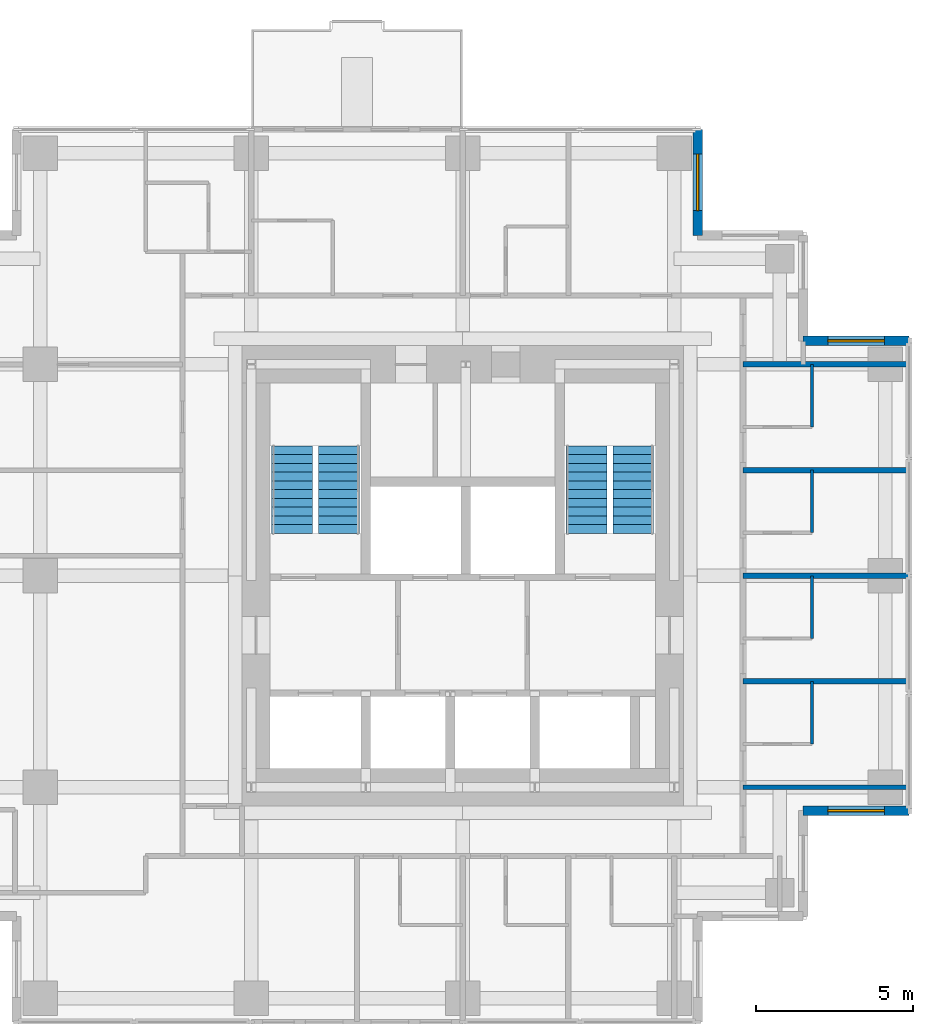
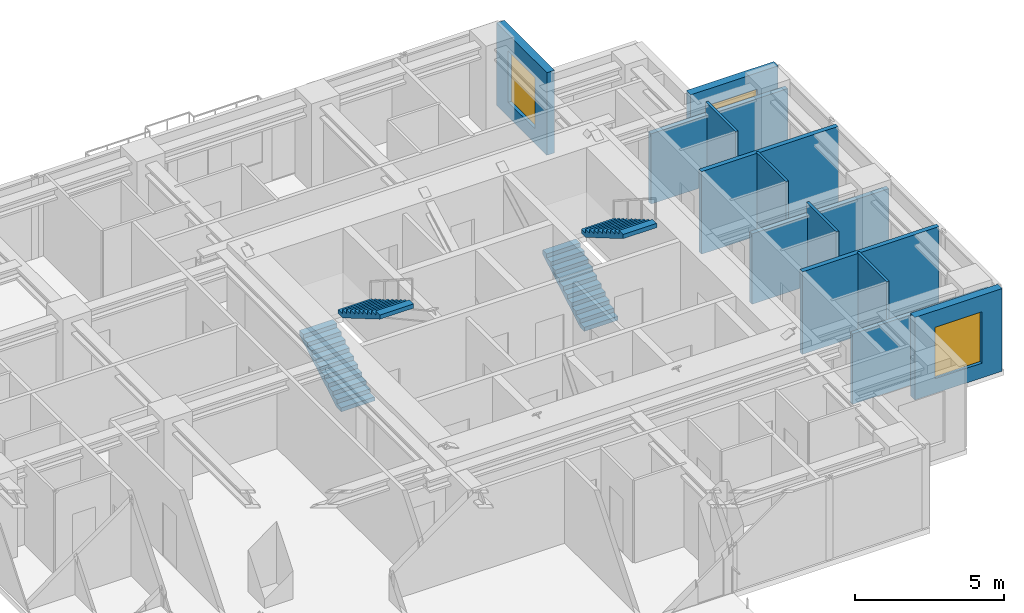
# One storey, part 7 of 8: 12 walls, 4 stair flights, 3 windows, 3 openings, 2 elements without a shape of their own.
"""IFC4 building model written with IfcOpenShell, lengths in metres."""

from ifc_helpers import new_model, si_unit, direction, frame, frame_2d, origin, place, context, subcontext, project, spatial, polyline, rectangle, outline, extrude, material, layer, layer_set, type_object, element, fill, aggregate, save


model = new_model("IFC4")

# Units and contexts
model_context = context("Model", 3, precision=1e-05, world=origin(), true_north=direction((0.0, 1.0)))
body_context = subcontext(model_context, "Body", "Model", "MODEL_VIEW")
ifc_project = project(units=[si_unit("LENGTHUNIT", "METRE"), si_unit("AREAUNIT", "SQUARE_METRE"), si_unit("VOLUMEUNIT", "CUBIC_METRE"), si_unit("PLANEANGLEUNIT", "RADIAN"), si_unit("MASSUNIT", "GRAM", prefix="KILO")], contexts=[model_context])

# Site, building, storey
site_placement = place(None, origin())
site = spatial("IfcSite", under=ifc_project, at=site_placement, CompositionType="ELEMENT")
building_placement = place(site_placement, origin())
building = spatial("IfcBuilding", under=site, at=building_placement, Name="Nyansa Garden Tower", CompositionType="ELEMENT")
storey_placement = place(building_placement, frame((0.0, 0.0, 218.699951171875)))
storey = spatial("IfcBuildingStorey", under=building, at=storey_placement, Name="L59", CompositionType="ELEMENT", Elevation=218.699951171875)

# Walls
ifc_material_1 = material(Name="Dense blockwork, plastered both sides, 55 dB", Category="masonry")
ifc_layer_1 = layer(ifc_material_1, 0.175048828125)
ifc_layer_set_1 = layer_set([ifc_layer_1], Name="Acoustic party wall PW175")
wall_type_1 = type_object("IfcWallType", Name="Acoustic party wall PW175", PredefinedType="PARTITIONING", material=ifc_layer_set_1)
wall_1_placement = place(storey_placement, frame((29.199951171875, 16.875, 0.0), z_axis=(0.0, 0.0, 1.0), x_axis=(1.0, 0.0, 0.0)))
element("IfcWall", 1, at=wall_1_placement, inside=storey, type_object=wall_type_1, Name="Party wall", PredefinedType="PARTITIONING", context=body_context, shape_type="SweptSolid", body=[
    extrude(rectangle(XDim=5.283935546875, YDim=0.175048828125, at=frame_2d((2.64208984375, 0.0))), origin(), (0.0, 0.0, 1.0), 3.375),
])
wall_2_placement = place(storey_placement, frame((29.199951171875, 20.25, 0.0), z_axis=(0.0, 0.0, 1.0), x_axis=(1.0, 0.0, 0.0)))
element("IfcWall", 2, at=wall_2_placement, inside=storey, type_object=wall_type_1, Name="Party wall", PredefinedType="PARTITIONING", context=body_context, shape_type="SweptSolid", body=[
    extrude(rectangle(XDim=5.283935546875, YDim=0.175048828125, at=frame_2d((2.64208984375, 0.0))), origin(), (0.0, 0.0, 1.0), 2.876953125),
])
wall_3_placement = place(storey_placement, frame((29.199951171875, 23.625, 0.0), z_axis=(0.0, 0.0, 1.0), x_axis=(1.0, 0.0, 0.0)))
element("IfcWall", 3, at=wall_3_placement, inside=storey, type_object=wall_type_1, Name="Party wall", PredefinedType="PARTITIONING", context=body_context, shape_type="SweptSolid", body=[
    extrude(rectangle(XDim=5.283935546875, YDim=0.175048828125, at=frame_2d((2.64208984375, 0.0))), origin(), (0.0, 0.0, 1.0), 3.375),
])
wall_4_placement = place(storey_placement, frame((29.199951171875, 27.0, 0.0), z_axis=(0.0, 0.0, 1.0), x_axis=(1.0, 0.0, 0.0)))
element("IfcWall", 4, at=wall_4_placement, inside=storey, type_object=wall_type_1, Name="Party wall", PredefinedType="PARTITIONING", context=body_context, shape_type="SweptSolid", body=[
    extrude(rectangle(XDim=5.283935546875, YDim=0.175048828125, at=frame_2d((2.64208984375, 0.0))), origin(), (0.0, 0.0, 1.0), 2.876953125),
])
ifc_material_2 = material(Name="Blockwork, plastered both sides", Category="masonry")
ifc_layer_2 = layer(ifc_material_2, 0.14990234375)
ifc_layer_set_2 = layer_set([ifc_layer_2], Name="Partition PW150")
wall_type_2 = type_object("IfcWallType", Name="Partition PW150", PredefinedType="PARTITIONING", material=ifc_layer_set_2)
wall_5_placement = place(storey_placement, frame((29.199951171875, 13.5, 0.0), z_axis=(0.0, 0.0, 1.0), x_axis=(1.0, 0.0, 0.0)))
element("IfcWall", 5, at=wall_5_placement, inside=storey, type_object=wall_type_2, Name="Partition", PredefinedType="PARTITIONING", context=body_context, shape_type="SweptSolid", body=[
    extrude(rectangle(XDim=5.283935546875, YDim=0.14990234375, at=frame_2d((2.64208984375, 0.0))), origin(), (0.0, 0.0, 1.0), 2.876953125),
])

# Wall, opening, window
ifc_material_3 = material(Name="Turquoise glazed tile on concrete blockwork", Category="masonry")
ifc_layer_3 = layer(ifc_material_3, 0.300048828125)
ifc_layer_set_3 = layer_set([ifc_layer_3], Name="Tiled corner wall TW300")
wall_type_3 = type_object("IfcWallType", Name="Tiled corner wall TW300", PredefinedType="SOLIDWALL", material=ifc_layer_set_3)
wall_6_placement = place(storey_placement, frame((34.5, 27.75, 0.0), z_axis=(0.0, 0.0, 1.0), x_axis=(-1.0, 0.0, 0.0)))
wall_6 = element("IfcWall", 6, at=wall_6_placement, inside=storey, type_object=wall_type_3, Name="Tiled corner wall L59", PredefinedType="SOLIDWALL", context=body_context, shape_type="SweptSolid", body=[
    extrude(rectangle(XDim=3.375, YDim=0.300048828125, at=frame_2d((1.6875, 0.0))), origin(), (0.0, 0.0, 1.0), 3.375),
])
opening_1_placement = place(wall_6_placement, frame((0.78759765625, 0.0, 0.60009765625)))
opening_1 = element("IfcOpeningElement", 7, at=opening_1_placement, cuts=wall_6, Name="Opening W2", PredefinedType="OPENING", context=body_context, shape_type="SweptSolid", body=[
    extrude(rectangle(XDim=1.800048828125, YDim=2.10009765625, at=frame_2d((0.89990234375, 1.050048828125))), frame((0.0, 0.159912109375, 0.0), z_axis=(0.0, -1.0, 0.0), x_axis=(1.0, 0.0, 0.0)), (0.0, 0.0, 1.0), 0.320068359375),
])
ifc_material_4 = material(Name="Black aluminium frame, dark tinted double glazing", Category="aluminium")
window_type = type_object("IfcWindowType", Name="Window W2 1800x2100", PartitioningType="SINGLE_PANEL", PredefinedType="WINDOW", material=ifc_material_4)
window_1_placement = place(opening_1_placement, origin())
window_1 = element("IfcWindow", 8, at=window_1_placement, inside=storey, type_object=window_type, Name="Corner window L59", OverallHeight=2.10009765625, OverallWidth=1.800048828125, PartitioningType="SINGLE_PANEL", PredefinedType="WINDOW", context=body_context, shape_type="SweptSolid", body=[
    extrude(rectangle(XDim=1.800048828125, YDim=2.10009765625, at=frame_2d((0.89990234375, 1.050048828125))), frame((0.0, 0.030029296875, 0.0), z_axis=(0.0, -1.0, 0.0), x_axis=(1.0, 0.0, 0.0)), (0.0, 0.0, 1.0), 0.06005859375),
])
fill(opening_1, window_1)

wall_7_placement = place(storey_placement, frame((27.75, 31.125, 0.0), z_axis=(0.0, 0.0, 1.0), x_axis=(0.0, 1.0, 0.0)))
wall_7 = element("IfcWall", 9, at=wall_7_placement, inside=storey, type_object=wall_type_3, Name="Tiled corner wall L59", PredefinedType="SOLIDWALL", context=body_context, shape_type="SweptSolid", body=[
    extrude(rectangle(XDim=3.375, YDim=0.300048828125, at=frame_2d((1.6875, 0.0))), origin(), (0.0, 0.0, 1.0), 3.375),
])
opening_2_placement = place(wall_7_placement, frame((0.78759765625, 0.0, 0.60009765625)))
opening_2 = element("IfcOpeningElement", 10, at=opening_2_placement, cuts=wall_7, Name="Opening W2", PredefinedType="OPENING", context=body_context, shape_type="SweptSolid", body=[
    extrude(rectangle(XDim=1.800048828125, YDim=2.10009765625, at=frame_2d((0.89990234375, 1.050048828125))), frame((0.0, 0.159912109375, 0.0), z_axis=(0.0, -1.0, 0.0), x_axis=(1.0, 0.0, 0.0)), (0.0, 0.0, 1.0), 0.320068359375),
])
window_2_placement = place(opening_2_placement, origin())
window_2 = element("IfcWindow", 11, at=window_2_placement, inside=storey, type_object=window_type, Name="Corner window L59", OverallHeight=2.10009765625, OverallWidth=1.800048828125, PartitioningType="SINGLE_PANEL", PredefinedType="WINDOW", context=body_context, shape_type="SweptSolid", body=[
    extrude(rectangle(XDim=1.800048828125, YDim=2.10009765625, at=frame_2d((0.89990234375, 1.050048828125))), frame((0.0, 0.030029296875, 0.0), z_axis=(0.0, -1.0, 0.0), x_axis=(1.0, 0.0, 0.0)), (0.0, 0.0, 1.0), 0.06005859375),
])
fill(opening_2, window_2)

wall_8_placement = place(storey_placement, frame((31.125, 12.75, 0.0), z_axis=(0.0, 0.0, 1.0), x_axis=(1.0, 0.0, 0.0)))
wall_8 = element("IfcWall", 12, at=wall_8_placement, inside=storey, type_object=wall_type_3, Name="Tiled corner wall L59", PredefinedType="SOLIDWALL", context=body_context, shape_type="SweptSolid", body=[
    extrude(rectangle(XDim=3.375, YDim=0.300048828125, at=frame_2d((1.6875, 0.0))), origin(), (0.0, 0.0, 1.0), 3.375),
])
opening_3_placement = place(wall_8_placement, frame((0.78759765625, 0.0, 0.60009765625)))
opening_3 = element("IfcOpeningElement", 13, at=opening_3_placement, cuts=wall_8, Name="Opening W2", PredefinedType="OPENING", context=body_context, shape_type="SweptSolid", body=[
    extrude(rectangle(XDim=1.800048828125, YDim=2.10009765625, at=frame_2d((0.89990234375, 1.050048828125))), frame((0.0, 0.159912109375, 0.0), z_axis=(0.0, -1.0, 0.0), x_axis=(1.0, 0.0, 0.0)), (0.0, 0.0, 1.0), 0.320068359375),
])
window_3_placement = place(opening_3_placement, origin())
window_3 = element("IfcWindow", 14, at=window_3_placement, inside=storey, type_object=window_type, Name="Corner window L59", OverallHeight=2.10009765625, OverallWidth=1.800048828125, PartitioningType="SINGLE_PANEL", PredefinedType="WINDOW", context=body_context, shape_type="SweptSolid", body=[
    extrude(rectangle(XDim=1.800048828125, YDim=2.10009765625, at=frame_2d((0.89990234375, 1.050048828125))), frame((0.0, 0.030029296875, 0.0), z_axis=(0.0, -1.0, 0.0), x_axis=(1.0, 0.0, 0.0)), (0.0, 0.0, 1.0), 0.06005859375),
])
fill(opening_3, window_3)

# Walls
ifc_material_5 = material(Name="Moisture resistant board on steel studs, tiled", Category="steel")
ifc_layer_4 = layer(ifc_material_5, 0.10009765625)
ifc_layer_set_4 = layer_set([ifc_layer_4], Name="Wet wall PW100")
wall_type_4 = type_object("IfcWallType", Name="Wet wall PW100", PredefinedType="PARTITIONING", material=ifc_layer_set_4)
for number, where, z_axis, x_axis, name in (
    (15, (31.39990234375, 14.875, 0.0), (0.0, 0.0, 1.0), (0.0, 1.0, 0.0), "Wet wall"),
    (16, (31.39990234375, 18.25, 0.0), (0.0, 0.0, 1.0), (0.0, 1.0, 0.0), "Wet wall"),
    (17, (31.39990234375, 21.625, 0.0), (0.0, 0.0, 1.0), (0.0, 1.0, 0.0), "Wet wall"),
    (18, (31.39990234375, 25.0, 0.0), (0.0, 0.0, 1.0), (0.0, 1.0, 0.0), "Wet wall"),
):
    element("IfcWall", number, at=place(storey_placement, frame(where, z_axis=z_axis, x_axis=x_axis)), inside=storey, type_object=wall_type_4, Name=name, PredefinedType="PARTITIONING", context=body_context, shape_type="SweptSolid", body=[
        extrude(rectangle(XDim=2.0, YDim=0.10009765625, at=frame_2d((1.0, 0.0))), origin(), (0.0, 0.0, 1.0), 3.375),
    ])

# Stair, stair flights
ifc_material_6 = material(Name="Precast concrete C40/50", Category="concrete")
stair_type_1 = type_object("IfcStairType", Name="Stair S1 164x280", PredefinedType="HALF_TURN_STAIR", material=ifc_material_6)
stair_1_placement = place(storey_placement, origin())
stair_1 = element("IfcStair", 19, at=stair_1_placement, inside=storey, type_object=stair_type_1, Name="Stair S1 L59", PredefinedType="HALF_TURN_STAIR")
ifc_material_7 = material(Name="Precast concrete C40/50", Category="concrete")
stair_flight_type_1 = type_object("IfcStairFlightType", Name="Stair flight S1 164x280x11", PredefinedType="STRAIGHT", material=ifc_material_7)
stair_flight_1_placement = place(storey_placement, frame((14.800048828125, 21.60009765625, 0.0), z_axis=(0.0, 0.0, 1.0), x_axis=(0.0, 1.0, 0.0)))
stair_flight_1 = element("IfcStairFlight", 20, at=stair_flight_1_placement, type_object=stair_flight_type_1, Name="S1 flight 1", NumberOfRisers=11, NumberOfTreads=10, PredefinedType="STRAIGHT", RiserHeight=0.163636364, TreadLength=0.28, context=body_context, shape_type="SweptSolid", body=[
    extrude(outline(polyline([(0.0, 0.0), (0.0, 0.16357421875), (0.280029296875, 0.16357421875), (0.280029296875, 0.327392578125), (0.56005859375, 0.327392578125), (0.56005859375, 0.490966796875), (0.840087890625, 0.490966796875), (0.840087890625, 0.654541015625), (1.1201171875, 0.654541015625), (1.1201171875, 0.818115234375), (1.39990234375, 0.818115234375), (1.39990234375, 0.98193359375), (1.679931640625, 0.98193359375), (1.679931640625, 1.1455078125), (1.9599609375, 1.1455078125), (1.9599609375, 1.30908203125), (2.239990234375, 1.30908203125), (2.239990234375, 1.47265625), (2.52001953125, 1.47265625), (2.52001953125, 1.636474609375), (2.800048828125, 1.636474609375), (2.800048828125, 1.800048828125), (2.800048828125, 1.462646484375), (0.297119140625, 0.0), (0.0, 0.0)])), frame((0.0, 0.64990234375, 0.0), z_axis=(0.0, -1.0, 0.0), x_axis=(1.0, 0.0, 0.0)), (0.0, 0.0, 1.0), 1.300048828125),
])
stair_flight_2_placement = place(storey_placement, frame((16.300048828125, 24.39990234375, 1.800048828125), z_axis=(0.0, 0.0, 1.0), x_axis=(0.0, -1.0, 0.0)))
stair_flight_2 = element("IfcStairFlight", 21, at=stair_flight_2_placement, type_object=stair_flight_type_1, Name="S1 flight 2", NumberOfRisers=11, NumberOfTreads=10, PredefinedType="STRAIGHT", RiserHeight=0.163636364, TreadLength=0.28, context=body_context, shape_type="SweptSolid", body=[
    extrude(outline(polyline([(0.0, 0.0), (0.0, 0.16357421875), (0.280029296875, 0.16357421875), (0.280029296875, 0.327392578125), (0.56005859375, 0.327392578125), (0.56005859375, 0.490966796875), (0.840087890625, 0.490966796875), (0.840087890625, 0.654541015625), (1.1201171875, 0.654541015625), (1.1201171875, 0.818115234375), (1.39990234375, 0.818115234375), (1.39990234375, 0.98193359375), (1.679931640625, 0.98193359375), (1.679931640625, 1.1455078125), (1.9599609375, 1.1455078125), (1.9599609375, 1.30908203125), (2.239990234375, 1.30908203125), (2.239990234375, 1.47265625), (2.52001953125, 1.47265625), (2.52001953125, 1.636474609375), (2.800048828125, 1.636474609375), (2.800048828125, 1.800048828125), (2.800048828125, 1.462646484375), (0.297119140625, 0.0), (0.0, 0.0)])), frame((0.0, 0.64990234375, 0.0), z_axis=(0.0, -1.0, 0.0), x_axis=(1.0, 0.0, 0.0)), (0.0, 0.0, 1.0), 1.300048828125),
])
aggregate(stair_1, [stair_flight_1, stair_flight_2])

ifc_material_8 = material(Name="Precast concrete C40/50", Category="concrete")
stair_type_2 = type_object("IfcStairType", Name="Stair S2 164x280", PredefinedType="HALF_TURN_STAIR", material=ifc_material_8)
stair_2_placement = place(storey_placement, origin())
stair_2 = element("IfcStair", 22, at=stair_2_placement, inside=storey, type_object=stair_type_2, Name="Stair S2 L59", PredefinedType="HALF_TURN_STAIR")
ifc_material_9 = material(Name="Precast concrete C40/50", Category="concrete")
stair_flight_type_2 = type_object("IfcStairFlightType", Name="Stair flight S2 164x280x11", PredefinedType="STRAIGHT", material=ifc_material_9)
stair_flight_3_placement = place(storey_placement, frame((24.199951171875, 21.60009765625, 0.0), z_axis=(0.0, 0.0, 1.0), x_axis=(0.0, 1.0, 0.0)))
stair_flight_3 = element("IfcStairFlight", 23, at=stair_flight_3_placement, type_object=stair_flight_type_2, Name="S2 flight 1", NumberOfRisers=11, NumberOfTreads=10, PredefinedType="STRAIGHT", RiserHeight=0.163636364, TreadLength=0.28, context=body_context, shape_type="SweptSolid", body=[
    extrude(outline(polyline([(0.0, 0.0), (0.0, 0.16357421875), (0.280029296875, 0.16357421875), (0.280029296875, 0.327392578125), (0.56005859375, 0.327392578125), (0.56005859375, 0.490966796875), (0.840087890625, 0.490966796875), (0.840087890625, 0.654541015625), (1.1201171875, 0.654541015625), (1.1201171875, 0.818115234375), (1.39990234375, 0.818115234375), (1.39990234375, 0.98193359375), (1.679931640625, 0.98193359375), (1.679931640625, 1.1455078125), (1.9599609375, 1.1455078125), (1.9599609375, 1.30908203125), (2.239990234375, 1.30908203125), (2.239990234375, 1.47265625), (2.52001953125, 1.47265625), (2.52001953125, 1.636474609375), (2.800048828125, 1.636474609375), (2.800048828125, 1.800048828125), (2.800048828125, 1.462646484375), (0.297119140625, 0.0), (0.0, 0.0)])), frame((0.0, 0.64990234375, 0.0), z_axis=(0.0, -1.0, 0.0), x_axis=(1.0, 0.0, 0.0)), (0.0, 0.0, 1.0), 1.300048828125),
])
stair_flight_4_placement = place(storey_placement, frame((25.699951171875, 24.39990234375, 1.800048828125), z_axis=(0.0, 0.0, 1.0), x_axis=(0.0, -1.0, 0.0)))
stair_flight_4 = element("IfcStairFlight", 24, at=stair_flight_4_placement, type_object=stair_flight_type_2, Name="S2 flight 2", NumberOfRisers=11, NumberOfTreads=10, PredefinedType="STRAIGHT", RiserHeight=0.163636364, TreadLength=0.28, context=body_context, shape_type="SweptSolid", body=[
    extrude(outline(polyline([(0.0, 0.0), (0.0, 0.16357421875), (0.280029296875, 0.16357421875), (0.280029296875, 0.327392578125), (0.56005859375, 0.327392578125), (0.56005859375, 0.490966796875), (0.840087890625, 0.490966796875), (0.840087890625, 0.654541015625), (1.1201171875, 0.654541015625), (1.1201171875, 0.818115234375), (1.39990234375, 0.818115234375), (1.39990234375, 0.98193359375), (1.679931640625, 0.98193359375), (1.679931640625, 1.1455078125), (1.9599609375, 1.1455078125), (1.9599609375, 1.30908203125), (2.239990234375, 1.30908203125), (2.239990234375, 1.47265625), (2.52001953125, 1.47265625), (2.52001953125, 1.636474609375), (2.800048828125, 1.636474609375), (2.800048828125, 1.800048828125), (2.800048828125, 1.462646484375), (0.297119140625, 0.0), (0.0, 0.0)])), frame((0.0, 0.64990234375, 0.0), z_axis=(0.0, -1.0, 0.0), x_axis=(1.0, 0.0, 0.0)), (0.0, 0.0, 1.0), 1.300048828125),
])
aggregate(stair_2, [stair_flight_3, stair_flight_4])

save(model, "model.ifc")
